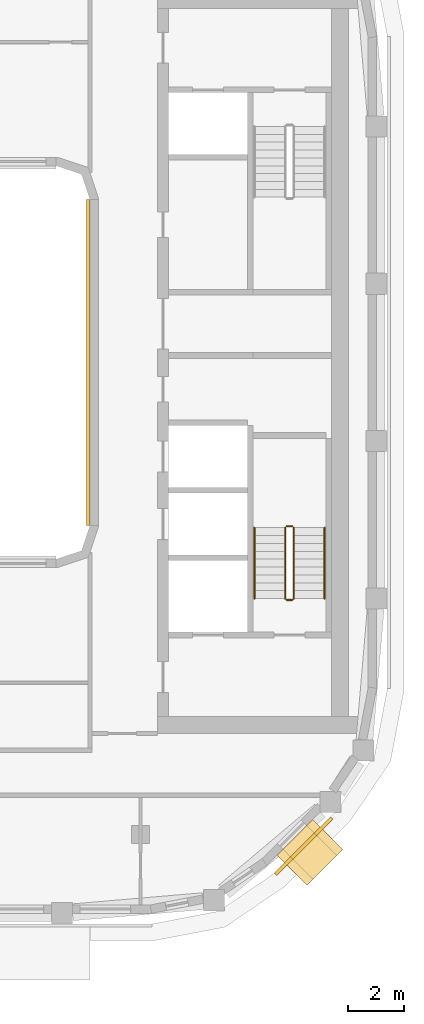
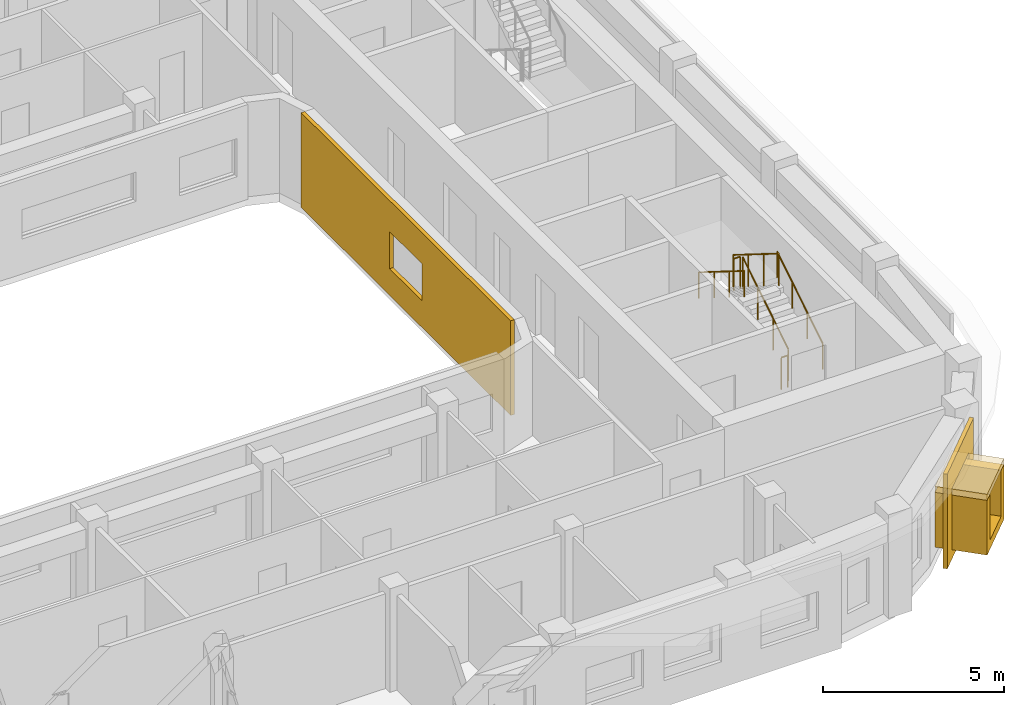
# One storey, part 13 of 16: 6 railings, 4 coverings.
"""IFC4 building model written with IfcOpenShell, lengths in metres."""

from ifc_helpers import new_model, si_unit, direction, frame, origin, origin_2d, place, context, subcontext, project, spatial, polyline, rectangle, circle, outline, extrude, material, layer, layer_set, type_object, element, save


model = new_model("IFC4")

# Units and contexts
model_context = context("Model", 3, precision=1e-05, world=origin(), true_north=direction((0.0, 1.0)))
body_context = subcontext(model_context, "Body", "Model", "MODEL_VIEW")
ifc_project = project(units=[si_unit("LENGTHUNIT", "METRE"), si_unit("AREAUNIT", "SQUARE_METRE"), si_unit("VOLUMEUNIT", "CUBIC_METRE"), si_unit("PLANEANGLEUNIT", "RADIAN"), si_unit("MASSUNIT", "GRAM", prefix="KILO")], contexts=[model_context])

# Site, building, storey
site_placement = place(None, origin())
site = spatial("IfcSite", under=ifc_project, at=site_placement, CompositionType="ELEMENT")
building_placement = place(site_placement, origin())
building = spatial("IfcBuilding", under=site, at=building_placement, Name="Kiln Ring Residences", CompositionType="ELEMENT")
storey_placement = place(building_placement, frame((0.0, 0.0, 269.699951171875)))
storey = spatial("IfcBuildingStorey", under=building, at=storey_placement, Name="L70", CompositionType="ELEMENT", Elevation=269.699951171875)

# Railings
ifc_material_1 = material(Name="Stainless steel", Category="steel")
railing_type_1 = type_object("IfcRailingType", Name="CORE-STAIR-GUARD", PredefinedType="GUARDRAIL", material=ifc_material_1)
railing_1_placement = place(storey_placement, frame((22.25, -8.39990234375, 0.175048828125)))
element("IfcRailing", 1, at=railing_1_placement, inside=storey, type_object=railing_type_1, Name="L70 E-STS stair guard 1", PredefinedType="GUARDRAIL", context=body_context, shape_type="SweptSolid", body=[
    extrude(circle(Radius=0.02392578125, at=origin_2d()), frame((0.0, 0.0, 1.076171875), z_axis=(0.0, 0.848007534815, 0.529984170421), x_axis=(-1.0, 0.0, 0.0)), (0.0, 0.0, 1.0), 2.9716796875),
    extrude(circle(Radius=0.02099609375, at=origin_2d()), origin(), (0.0, 0.0, 1.0), 1.052001953125),
    extrude(circle(Radius=0.02099609375, at=origin_2d()), frame((0.0, 0.840087890625, 0.52490234375)), (0.0, 0.0, 1.0), 1.052001953125),
    extrude(circle(Radius=0.02099609375, at=origin_2d()), frame((0.0, 1.679931640625, 1.050048828125)), (0.0, 0.0, 1.0), 1.052001953125),
    extrude(circle(Radius=0.02099609375, at=origin_2d()), frame((0.0, 2.52001953125, 1.574951171875)), (0.0, 0.0, 1.0), 1.052001953125),
])
railing_2_placement = place(storey_placement, frame((22.199951171875, -5.830078125, 1.75)))
element("IfcRailing", 2, at=railing_2_placement, inside=storey, type_object=railing_type_1, Name="L70 E-STS stair guard 2", PredefinedType="GUARDRAIL", context=body_context, shape_type="SweptSolid", body=[
    extrude(circle(Radius=0.02392578125, at=origin_2d()), frame((0.0, 0.0, 1.076171875), z_axis=(-1.0, 0.0, 0.0), x_axis=(0.0, -1.0, 0.0)), (0.0, 0.0, 1.0), 0.199951171875),
    extrude(circle(Radius=0.02099609375, at=origin_2d()), origin(), (0.0, 0.0, 1.0), 1.052001953125),
    extrude(circle(Radius=0.02099609375, at=origin_2d()), frame((-0.199951171875, 0.0, 0.0)), (0.0, 0.0, 1.0), 1.052001953125),
])
railing_3_placement = place(storey_placement, frame((21.949951171875, -5.8798828125, 1.925048828125)))
element("IfcRailing", 3, at=railing_3_placement, inside=storey, type_object=railing_type_1, Name="L70 E-STS stair guard 3", PredefinedType="GUARDRAIL", context=body_context, shape_type="SweptSolid", body=[
    extrude(circle(Radius=0.02392578125, at=origin_2d()), frame((0.0, 0.0, 1.076171875), z_axis=(0.0, -0.848007534815, 0.529984170421), x_axis=(1.0, 0.0, 0.0)), (0.0, 0.0, 1.0), 2.9716796875),
    extrude(circle(Radius=0.02099609375, at=origin_2d()), origin(), (0.0, 0.0, 1.0), 1.052001953125),
    extrude(circle(Radius=0.02099609375, at=origin_2d()), frame((0.0, -0.840087890625, 0.52490234375)), (0.0, 0.0, 1.0), 1.052001953125),
    extrude(circle(Radius=0.02099609375, at=origin_2d()), frame((0.0, -1.679931640625, 1.050048828125)), (0.0, 0.0, 1.0), 1.052001953125),
    extrude(circle(Radius=0.02099609375, at=origin_2d()), frame((0.0, -2.52001953125, 1.574951171875)), (0.0, 0.0, 1.0), 1.052001953125),
])
railing_4_placement = place(storey_placement, frame((22.199951171875, -8.449951171875, 0.0)))
element("IfcRailing", 4, at=railing_4_placement, inside=storey, type_object=railing_type_1, Name="L70 E-STS stair guard 4", PredefinedType="GUARDRAIL", context=body_context, shape_type="SweptSolid", body=[
    extrude(circle(Radius=0.02392578125, at=origin_2d()), frame((0.0, 0.0, 1.076171875), z_axis=(-1.0, 0.0, 0.0), x_axis=(0.0, -1.0, 0.0)), (0.0, 0.0, 1.0), 0.199951171875),
    extrude(circle(Radius=0.02099609375, at=origin_2d()), origin(), (0.0, 0.0, 1.0), 1.052001953125),
    extrude(circle(Radius=0.02099609375, at=origin_2d()), frame((-0.199951171875, 0.0, 0.0)), (0.0, 0.0, 1.0), 1.052001953125),
])
ifc_material_2 = material(Name="Stainless steel", Category="steel")
railing_type_2 = type_object("IfcRailingType", Name="CORE-STAIR-HANDRAIL", PredefinedType="HANDRAIL", material=ifc_material_2)
railing_5_placement = place(storey_placement, frame((23.35009765625, -8.39990234375, 0.175048828125)))
element("IfcRailing", 5, at=railing_5_placement, inside=storey, type_object=railing_type_2, Name="L70 E-STS stair handrail 1", PredefinedType="HANDRAIL", context=body_context, shape_type="SweptSolid", body=[
    extrude(circle(Radius=0.02392578125, at=origin_2d()), frame((0.0, 0.0, 0.8759765625), z_axis=(0.0, 0.848007534815, 0.529984170421), x_axis=(-1.0, 0.0, 0.0)), (0.0, 0.0, 1.0), 2.9716796875),
    extrude(circle(Radius=0.02099609375, at=origin_2d()), origin(), (0.0, 0.0, 1.0), 0.851806640625),
    extrude(circle(Radius=0.02099609375, at=origin_2d()), frame((0.0, 0.840087890625, 0.52490234375)), (0.0, 0.0, 1.0), 0.851806640625),
    extrude(circle(Radius=0.02099609375, at=origin_2d()), frame((0.0, 1.679931640625, 1.050048828125)), (0.0, 0.0, 1.0), 0.851806640625),
    extrude(circle(Radius=0.02099609375, at=origin_2d()), frame((0.0, 2.52001953125, 1.574951171875)), (0.0, 0.0, 1.0), 0.851806640625),
])
railing_6_placement = place(storey_placement, frame((20.85009765625, -5.8798828125, 1.925048828125)))
element("IfcRailing", 6, at=railing_6_placement, inside=storey, type_object=railing_type_2, Name="L70 E-STS stair handrail 2", PredefinedType="HANDRAIL", context=body_context, shape_type="SweptSolid", body=[
    extrude(circle(Radius=0.02392578125, at=origin_2d()), frame((0.0, 0.0, 0.8759765625), z_axis=(0.0, -0.848007534815, 0.529984170421), x_axis=(1.0, 0.0, 0.0)), (0.0, 0.0, 1.0), 2.9716796875),
    extrude(circle(Radius=0.02099609375, at=origin_2d()), origin(), (0.0, 0.0, 1.0), 0.851806640625),
    extrude(circle(Radius=0.02099609375, at=origin_2d()), frame((0.0, -0.840087890625, 0.52490234375)), (0.0, 0.0, 1.0), 0.851806640625),
    extrude(circle(Radius=0.02099609375, at=origin_2d()), frame((0.0, -1.679931640625, 1.050048828125)), (0.0, 0.0, 1.0), 0.851806640625),
    extrude(circle(Radius=0.02099609375, at=origin_2d()), frame((0.0, -2.52001953125, 1.574951171875)), (0.0, 0.0, 1.0), 0.851806640625),
])

# Coverings
ifc_material_3 = material(Name="Brick masonry, dark clay brick", Category="masonry")
ifc_layer_1 = layer(ifc_material_3, 0.300048828125)
ifc_layer_set_1 = layer_set([ifc_layer_1], Name="FRAME CHEEKS AND SILL 1500")
covering_type_1 = type_object("IfcCoveringType", Name="FRAME CHEEKS AND SILL 1500", PredefinedType="CLADDING", material=ifc_layer_set_1)
covering_1_placement = place(storey_placement, frame((22.189697265625, -18.07080078125, 0.300048828125), z_axis=(0.0, 0.0, 1.0), x_axis=(0.707174592913, 0.707038962956, 0.0)))
element("IfcCovering", 7, at=covering_1_placement, inside=storey, type_object=covering_type_1, Name="FRAME L70", PredefinedType="CLADDING", context=body_context, shape_type="SweptSolid", body=[
    extrude(outline(polyline([(0.0, 0.0), (1.800048828125, 0.0), (1.800048828125, 1.85009765625), (1.5009765625, 1.85009765625), (1.5, 0.300048828125), (0.300048828125, 0.300048828125), (0.299072265625, 1.85009765625), (0.0, 1.85009765625), (0.0, 0.0)])), frame((0.0, 0.75, 0.0), z_axis=(0.0, -1.0, 0.0), x_axis=(1.0, 0.0, 0.0)), (0.0, 0.0, 1.0), 1.5),
])
ifc_material_4 = material(Name="Brick masonry, dark clay brick", Category="masonry")
ifc_layer_2 = layer(ifc_material_4, 0.199951171875)
ifc_layer_set_2 = layer_set([ifc_layer_2], Name="FRAME HEAD 1500")
covering_type_2 = type_object("IfcCoveringType", Name="FRAME HEAD 1500", PredefinedType="CLADDING", material=ifc_layer_set_2)
covering_2_placement = place(storey_placement, frame((22.826171875, -17.4345703125, 2.14990234375), z_axis=(0.0, 0.0, 1.0), x_axis=(0.707106781187, 0.707106781187, 0.0)))
element("IfcCovering", 8, at=covering_2_placement, inside=storey, type_object=covering_type_2, Name="FRAME HEAD L70", PredefinedType="CLADDING", context=body_context, shape_type="SweptSolid", body=[
    extrude(rectangle(XDim=1.800048828125, YDim=1.5, at=origin_2d()), origin(), (0.0, 0.0, 1.0), 0.199951171875),
])
ifc_material_5 = material(Name="Brick masonry, dark clay brick", Category="masonry")
ifc_layer_3 = layer(ifc_material_5, 0.1201171875)
ifc_layer_set_3 = layer_set([ifc_layer_3], Name="RAINSCREEN PANEL 120")
covering_type_3 = type_object("IfcCoveringType", Name="RAINSCREEN PANEL 120", PredefinedType="CLADDING", material=ifc_layer_set_3)
covering_3_placement = place(storey_placement, frame((21.604736328125, -18.21044921875, 0.0), z_axis=(0.0, 0.0, 1.0), x_axis=(0.707106781187, 0.707106781187, 0.0)))
element("IfcCovering", 9, at=covering_3_placement, inside=storey, type_object=covering_type_3, Name="RAINSCREEN L70", PredefinedType="CLADDING", context=body_context, shape_type="SweptSolid", body=[
    extrude(outline(polyline([(0.0, 0.0), (2.824951171875, 0.0), (2.824951171875, 3.199951171875), (0.0, 3.199951171875), (0.0, 0.0)]), holes=[polyline([(0.492431640625, 2.3701171875), (0.492431640625, 0.280029296875), (2.33251953125, 0.280029296875), (2.33251953125, 2.3701171875), (0.492431640625, 2.3701171875)])]), frame((0.0, 0.06005859375, 0.0), z_axis=(0.0, -1.0, 0.0), x_axis=(1.0, 0.0, 0.0)), (0.0, 0.0, 1.0), 0.1201171875),
])
covering_4_placement = place(storey_placement, frame((14.93994140625, 5.800048828125, 0.0), z_axis=(0.0, 0.0, 1.0), x_axis=(0.0, -1.0, 0.0)))
element("IfcCovering", 10, at=covering_4_placement, inside=storey, type_object=covering_type_3, Name="RAINSCREEN L70", PredefinedType="CLADDING", context=body_context, shape_type="SweptSolid", body=[
    extrude(outline(polyline([(0.0, 0.0), (11.60009765625, 0.0), (11.60009765625, 3.199951171875), (0.0, 3.199951171875), (0.0, 0.0)]), holes=[polyline([(4.89990234375, 2.150146484375), (4.89990234375, 0.900146484375), (6.699951171875, 0.900146484375), (6.699951171875, 2.150146484375), (4.89990234375, 2.150146484375)])]), frame((0.0, 0.06005859375, 0.0), z_axis=(0.0, -1.0, 0.0), x_axis=(1.0, 0.0, 0.0)), (0.0, 0.0, 1.0), 0.1201171875),
])

save(model, "model.ifc")
